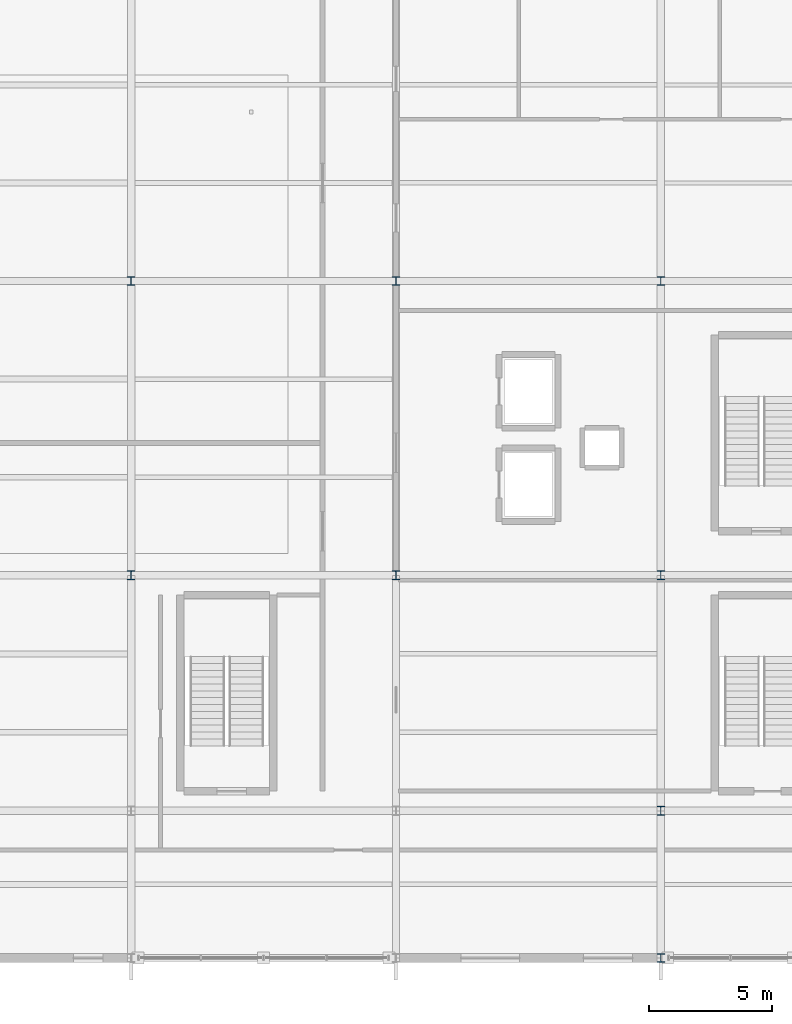
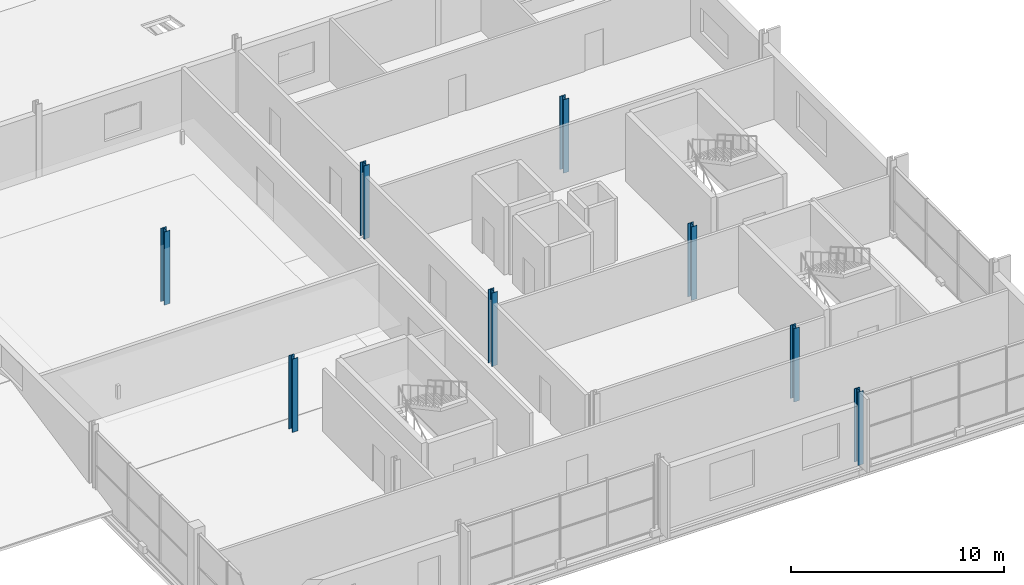
# One storey, part 15 of 117: 8 columns.
"""IFC4 building model written with IfcOpenShell, lengths in metres."""

import ifcopenshell
import ifcopenshell.guid

model = None  # the IFC model being written
_history = None  # IfcOwnerHistory: only IFC2X3 demands one
_inside = {}  # id of a spatial element -> (the spatial element, [elements in it])
_under = {}  # id of a project, library or spatial element -> (it, [spatial elements below it])
_declared = {}  # id of a project -> (the project, [libraries it declares])
_typed = {}  # id of a type object -> (the type object, [elements of that type])
_made_of = {}  # id of a material, layer set ... -> (it, [elements and type objects made of it])


def new_model(schema):
    """Start an empty IFC model of exactly this schema.

    Asked for "IFC4X3", IfcOpenShell would pick the latest addendum, in which some entities
    have other attributes; the version numbers below select the first issue.
    IFC2X3 requires an IfcOwnerHistory on every rooted entity: one is made here for all.
    """
    global model, _history
    if schema == "IFC4X3":
        model = ifcopenshell.file(schema_version=(4, 3, 0, 0))
    else:
        model = ifcopenshell.file(schema=schema)
    _inside.clear()
    _under.clear()
    _declared.clear()
    _typed.clear()
    _made_of.clear()
    _history = None
    if model.schema == "IFC2X3":
        org = make("IfcOrganization", Name="unknown")
        user = make(
            "IfcPersonAndOrganization",
            ThePerson=make("IfcPerson", FamilyName="unknown"),
            TheOrganization=org,
        )
        app = make(
            "IfcApplication",
            ApplicationDeveloper=org,
            Version="unknown",
            ApplicationFullName="unknown",
            ApplicationIdentifier="unknown",
        )
        _history = make(
            "IfcOwnerHistory",
            OwningUser=user,
            OwningApplication=app,
            ChangeAction="ADDED",
            CreationDate=0,
        )
    return model


def make(cls, **values):
    """One entity of the class cls with the attributes given. An attribute that is None is left unset."""
    return model.create_entity(
        cls, **{name: value for name, value in values.items() if value is not None}
    )


def rooted(cls, **values):
    """An entity with a GlobalId (a new one), such as an element, a storey or a relation."""
    return make(cls, GlobalId=ifcopenshell.guid.new(), OwnerHistory=_history, **values)


def si_unit(unit_type, name, prefix=None):
    """IfcSIUnit, for example si_unit("LENGTHUNIT", "METRE", prefix="MILLI")."""
    return make("IfcSIUnit", UnitType=unit_type, Prefix=prefix, Name=name)


def assignment(units):
    """IfcUnitAssignment: the units of a project."""
    return None if units is None else make("IfcUnitAssignment", Units=units)


def point(xyz):
    """IfcCartesianPoint."""
    return None if xyz is None else make("IfcCartesianPoint", Coordinates=xyz)


def direction(xyz):
    """IfcDirection."""
    return None if xyz is None else make("IfcDirection", DirectionRatios=xyz)


def frame(location, z_axis=None, x_axis=None):
    """IfcAxis2Placement3D, a coordinate frame: its origin and axes. An axis left out is left unset."""
    return make(
        "IfcAxis2Placement3D",
        Location=point(location),
        Axis=direction(z_axis),
        RefDirection=direction(x_axis),
    )


def frame_2d(location, x_axis=None):
    """IfcAxis2Placement2D, a coordinate frame in the plane: its origin and x axis."""
    return make(
        "IfcAxis2Placement2D", Location=point(location), RefDirection=direction(x_axis)
    )


def origin():
    """The frame at (0, 0, 0) with its axes left unset."""
    return frame((0.0, 0.0, 0.0))


def origin_2d():
    """The frame at (0, 0) in the plane with its x axis left unset."""
    return frame_2d((0.0, 0.0))


def place(relative_to, where):
    """IfcLocalPlacement: puts the frame where relative to a parent placement (None: the world)."""
    return make(
        "IfcLocalPlacement", PlacementRelTo=relative_to, RelativePlacement=where
    )


def context(
    kind, dimensions, precision=None, world=None, true_north=None, identifier=None
):
    """IfcGeometricRepresentationContext, for example the 3D "Model" context."""
    return make(
        "IfcGeometricRepresentationContext",
        ContextIdentifier=identifier,
        ContextType=kind,
        CoordinateSpaceDimension=dimensions,
        Precision=precision,
        WorldCoordinateSystem=world,
        TrueNorth=true_north,
    )


def subcontext(parent, identifier, kind, view, scale=None):
    """IfcGeometricRepresentationSubContext, for example "Body" below "Model"."""
    return make(
        "IfcGeometricRepresentationSubContext",
        ContextIdentifier=identifier,
        ContextType=kind,
        ParentContext=parent,
        TargetScale=scale,
        TargetView=view,
    )


def project(units=None, contexts=None):
    """IfcProject with its units and contexts."""
    return rooted(
        "IfcProject",
        Name="project",
        RepresentationContexts=contexts,
        UnitsInContext=assignment(units),
    )


def spatial(cls, under=None, at=None, **own):
    """A site, building, storey or space (cls), placed at a placement, below another one or the project."""
    s = rooted(cls, ObjectPlacement=at, **own)
    if under is not None:
        _under.setdefault(under.id(), (under, []))[1].append(s)
    return s


def profile(cls, at=None, kind="AREA", **sizes):
    """A parametric profile (cls). Its sizes go by their IFC names, for example OverallWidth=200.0."""
    return make(cls, ProfileType=kind, Position=at, **sizes)


def i_section(**sizes):
    """IfcIShapeProfileDef."""
    return profile("IfcIShapeProfileDef", **sizes)


def extrude(swept, where, along, depth):
    """IfcExtrudedAreaSolid: the profile swept, set in the frame where, extruded along a direction by depth."""
    return make(
        "IfcExtrudedAreaSolid",
        SweptArea=swept,
        Position=where,
        ExtrudedDirection=direction(along),
        Depth=depth,
    )


def shape(context_of_items, identifier, shape_type, items):
    """IfcShapeRepresentation: the items that make up one representation, for example the "Body"."""
    return make(
        "IfcShapeRepresentation",
        ContextOfItems=context_of_items,
        RepresentationIdentifier=identifier,
        RepresentationType=shape_type,
        Items=items,
    )


def material(Name=None, Category=None):
    """IfcMaterial."""
    return make("IfcMaterial", Name=Name, Category=Category)


def material_profile(
    of_material, cross_section, Name=None, Category=None, Priority=None
):
    """IfcMaterialProfile: a cross section and its material."""
    return make(
        "IfcMaterialProfile",
        Name=Name,
        Material=of_material,
        Profile=cross_section,
        Priority=Priority,
        Category=Category,
    )


def profile_set(profiles, Name=None, composite=None):
    """IfcMaterialProfileSet."""
    return make(
        "IfcMaterialProfileSet",
        Name=Name,
        MaterialProfiles=profiles,
        CompositeProfile=composite,
    )


def made_of(thing, what):
    """Note that an element or type object is made of a material, layer set ...; save() writes the relation."""
    if what is not None:
        _made_of.setdefault(what.id(), (what, []))[1].append(thing)
    return thing


def type_object(cls, material=None, **own):
    """A type object (cls), such as IfcWallType, which elements share."""
    return made_of(rooted(cls, **own), material)


def element(
    cls,
    number,
    at=None,
    inside=None,
    cuts=None,
    type_object=None,
    material=None,
    context=None,
    identifier="Body",
    shape_type=None,
    held_by="IfcProductDefinitionShape",
    body=None,
    shapes=None,
    **own,
):
    """One element of the class cls, such as IfcWall. Its Tag is "e" and its number.

    at: its placement. inside: the storey or other place that contains it. cuts: it is an
    opening in that element (IfcRelVoidsElement). A single representation is given by context,
    identifier, shape_type and body (its items); several are given by shapes. held_by: the class
    of the entity that holds the representations. save() writes the other relations.
    """
    e = rooted(cls, Tag="e%d" % number, ObjectPlacement=at, **own)
    if body is not None:
        shapes = [shape(context, identifier, shape_type, body)]
    if shapes is not None:
        e.Representation = make(held_by, Representations=shapes)
    if inside is not None:
        _inside.setdefault(inside.id(), (inside, []))[1].append(e)
    if cuts is not None:
        rooted(
            "IfcRelVoidsElement", RelatingBuildingElement=cuts, RelatedOpeningElement=e
        )
    if type_object is not None:
        _typed.setdefault(type_object.id(), (type_object, []))[1].append(e)
    return made_of(e, material)


def aggregate(whole, parts):
    """IfcRelAggregates: a whole, such as a stair, and the parts it consists of."""
    return rooted("IfcRelAggregates", RelatingObject=whole, RelatedObjects=parts)


def save(model, path):
    """Write the relations noted so far, then the file.

    IfcRelAggregates (storeys below a building ...), IfcRelContainedInSpatialStructure (elements
    in a storey), IfcRelDefinesByType, IfcRelAssociatesMaterial and IfcRelDeclares: one each for
    every whole, place, type object, material and project.
    """
    for whole, parts in _under.values():
        aggregate(whole, parts)
    for where, things in _inside.values():
        rooted(
            "IfcRelContainedInSpatialStructure",
            RelatedElements=things,
            RelatingStructure=where,
        )
    for kind, things in _typed.values():
        rooted("IfcRelDefinesByType", RelatedObjects=things, RelatingType=kind)
    for what, things in _made_of.values():
        rooted("IfcRelAssociatesMaterial", RelatedObjects=things, RelatingMaterial=what)
    for by, libraries in _declared.values():
        rooted("IfcRelDeclares", RelatingContext=by, RelatedDefinitions=libraries)
    model.write(path)


model = new_model("IFC4")

# Units and contexts
model_context = context("Model", 3, precision=1e-05, world=origin(), true_north=direction((0.0, 1.0)))
body_context = subcontext(model_context, "Body", "Model", "MODEL_VIEW")
ifc_project = project(units=[si_unit("LENGTHUNIT", "METRE"), si_unit("AREAUNIT", "SQUARE_METRE"), si_unit("VOLUMEUNIT", "CUBIC_METRE"), si_unit("PLANEANGLEUNIT", "RADIAN"), si_unit("MASSUNIT", "GRAM", prefix="KILO")], contexts=[model_context])

# Site, building, storey
site_placement = place(None, origin())
site = spatial("IfcSite", under=ifc_project, at=site_placement, CompositionType="ELEMENT")
building_placement = place(site_placement, origin())
building = spatial("IfcBuilding", under=site, at=building_placement, Name="Merenkruunu Market Hall", CompositionType="ELEMENT")
storey_placement = place(building_placement, frame((0.0, 0.0, 10.199951171875)))
storey = spatial("IfcBuildingStorey", under=building, at=storey_placement, Name="L02", CompositionType="ELEMENT", Elevation=10.199951171875)

# Columns
ifc_material = material(Name="Steel S355J2", Category="steel")
ifc_material_profile = material_profile(ifc_material, i_section(OverallWidth=0.300048828125, OverallDepth=0.360107421875, WebThickness=0.012451171875, FlangeThickness=0.0224609375, FilletRadius=0.027099609375, at=origin_2d()), Name="HEB 360")
ifc_profile_set = profile_set([ifc_material_profile], Name="Steel S355J2")
column_type = type_object("IfcColumnType", Name="Structural Column C04", PredefinedType="COLUMN", material=ifc_profile_set)
for number, where, z_axis, x_axis, name in (
    (1, (159.60009765625, 15.60009765625, 0.0), (0.0, 0.0, 1.0), (1.0, 0.0, 0.0), "COL-L02-R-03"),
    (2, (159.60009765625, 27.60009765625, 0.0), (0.0, 0.0, 1.0), (1.0, 0.0, 0.0), "COL-L02-R-04"),
    (3, (170.39990234375, 15.60009765625, 0.0), (0.0, 0.0, 1.0), (1.0, 0.0, 0.0), "COL-L02-S-03"),
    (4, (170.39990234375, 27.60009765625, 0.0), (0.0, 0.0, 1.0), (1.0, 0.0, 0.0), "COL-L02-S-04"),
    (5, (181.199951171875, 0.0, 0.0), (0.0, 0.0, 1.0), (1.0, 0.0, 0.0), "COL-L02-T-01"),
    (6, (181.199951171875, 6.0, 0.0), (0.0, 0.0, 1.0), (1.0, 0.0, 0.0), "COL-L02-T-02"),
    (7, (181.199951171875, 15.60009765625, 0.0), (0.0, 0.0, 1.0), (1.0, 0.0, 0.0), "COL-L02-T-03"),
    (8, (181.199951171875, 27.60009765625, 0.0), (0.0, 0.0, 1.0), (1.0, 0.0, 0.0), "COL-L02-T-04"),
):
    element("IfcColumn", number, at=place(storey_placement, frame(where, z_axis=z_axis, x_axis=x_axis)), inside=storey, type_object=column_type, Name=name, PredefinedType="COLUMN", context=body_context, shape_type="SweptSolid", body=[
        extrude(i_section(OverallWidth=0.300048828125, OverallDepth=0.360107421875, WebThickness=0.012451171875, FlangeThickness=0.0224609375, FilletRadius=0.027099609375, at=origin_2d()), origin(), (0.0, 0.0, 1.0), 4.199951171875),
    ])

save(model, "model.ifc")
